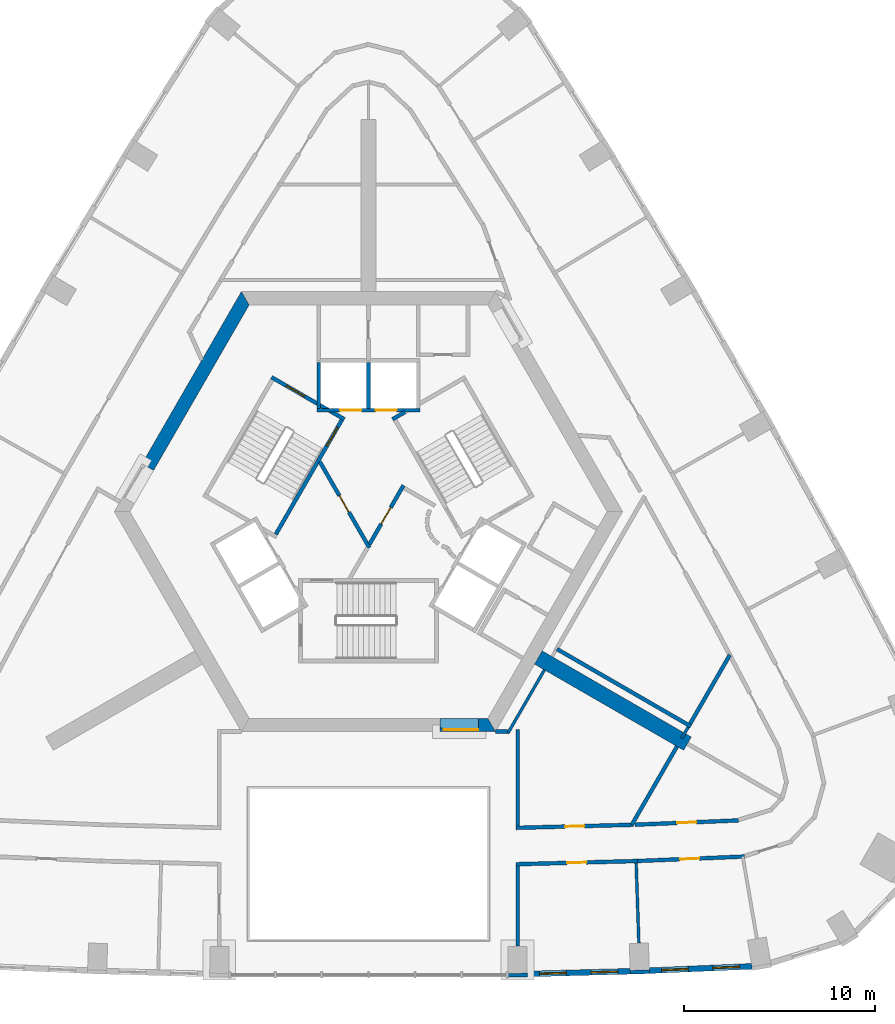
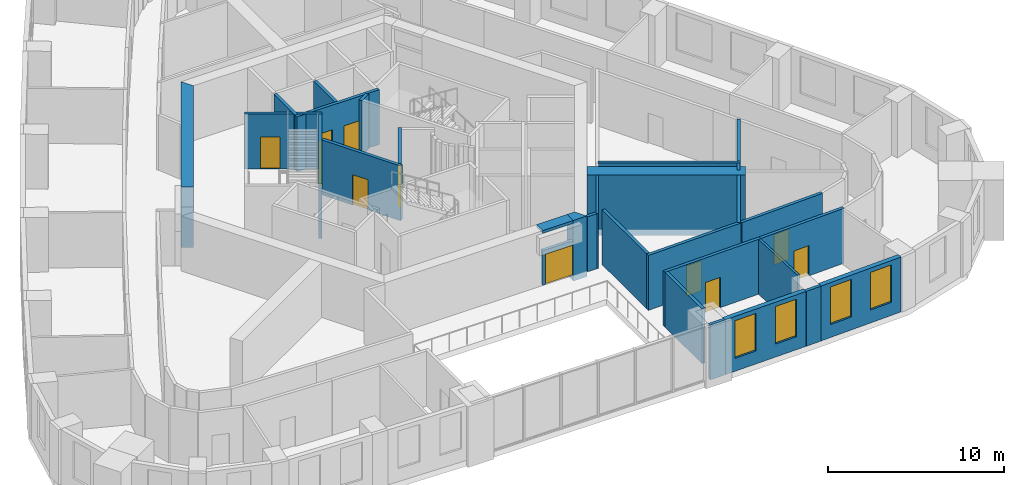
# One storey, part 5 of 11: 30 walls, 11 doors, 4 windows, 15 openings.
"""IFC4 building model written with IfcOpenShell, lengths in metres."""

from ifc_helpers import new_model, si_unit, direction, frame, frame_2d, origin, place, context, subcontext, project, spatial, polyline, rectangle, outline, extrude, material, layer, layer_set, type_object, element, fill, save


model = new_model("IFC4")

# Units and contexts
model_context = context("Model", 3, precision=1e-05, world=origin(), true_north=direction((0.0, 1.0)))
body_context = subcontext(model_context, "Body", "Model", "MODEL_VIEW")
ifc_project = project(units=[si_unit("LENGTHUNIT", "METRE"), si_unit("AREAUNIT", "SQUARE_METRE"), si_unit("VOLUMEUNIT", "CUBIC_METRE"), si_unit("PLANEANGLEUNIT", "RADIAN"), si_unit("MASSUNIT", "GRAM", prefix="KILO")], contexts=[model_context])

# Site, building, storey
site_placement = place(None, origin())
site = spatial("IfcSite", under=ifc_project, at=site_placement, CompositionType="ELEMENT")
building_placement = place(site_placement, origin())
building = spatial("IfcBuilding", under=site, at=building_placement, Name="Entoto Arch Interchange Tower", CompositionType="ELEMENT")
storey_placement = place(building_placement, frame((0.0, 0.0, 194.0)))
storey = spatial("IfcBuildingStorey", under=building, at=storey_placement, Name="L43", CompositionType="ELEMENT", Elevation=194.0)

# Wall
ifc_material_1 = material(Name="Concrete C50/60", Category="concrete")
ifc_layer_1 = layer(ifc_material_1, 0.800048828125)
ifc_layer_set_1 = layer_set([ifc_layer_1], Name="Concrete C50/60")
wall_type_1 = type_object("IfcWallType", Name="Buttress wall 800 C50/60", PredefinedType="SHEAR", material=ifc_layer_set_1)
wall_1_placement = place(storey_placement, frame((8.876953125, -5.125, -0.39990234375), z_axis=(0.0, 0.0, 1.0), x_axis=(0.866017533419, -0.500013631625, 0.0)))
element("IfcWall", 1, at=wall_1_placement, inside=storey, type_object=wall_type_1, Name="Buttress wall SE L43", PredefinedType="SHEAR", context=body_context, shape_type="SweptSolid", body=[
    extrude(rectangle(XDim=8.999755859375, YDim=0.800048828125, at=frame_2d((4.5, 0.0))), origin(), (0.0, 0.0, 1.0), 4.199951171875),
])

# Wall, opening, door
ifc_material_2 = material(Name="Reinforced concrete C40/50", Category="concrete")
ifc_layer_2 = layer(ifc_material_2, 0.199951171875)
ifc_layer_set_2 = layer_set([ifc_layer_2], Name="Reinforced concrete C40/50")
wall_type_2 = type_object("IfcWallType", Name="CORE GAP INFILL WALL", PredefinedType="PARTITIONING", material=ifc_layer_set_2)
wall_2_placement = place(storey_placement, frame((3.75, -8.89990234375, 0.0), z_axis=(0.0, 0.0, 1.0), x_axis=(1.0, 0.0, 0.0)))
wall_2 = element("IfcWall", 2, at=wall_2_placement, inside=storey, type_object=wall_type_2, Name="wall:L43:gap1", PredefinedType="PARTITIONING", context=body_context, shape_type="SweptSolid", body=[
    extrude(rectangle(XDim=2.0, YDim=0.199951171875, at=frame_2d((1.0, 0.0))), origin(), (0.0, 0.0, 1.0), 2.39990234375),
])
opening_1_placement = place(wall_2_placement, frame((0.18994140625, 0.0, 0.0)))
opening_1 = element("IfcOpeningElement", 3, at=opening_1_placement, cuts=wall_2, Name="Opening L43-D91", PredefinedType="OPENING", context=body_context, shape_type="SweptSolid", body=[
    extrude(rectangle(XDim=1.800048828125, YDim=2.10009765625, at=frame_2d((0.89990234375, 1.050048828125))), frame((0.0, 0.10986328125, 0.0), z_axis=(0.0, -1.0, 0.0), x_axis=(1.0, 0.0, 0.0)), (0.0, 0.0, 1.0), 0.219970703125),
])
ifc_material_3 = material(Name="Fire-rated Steel S235 door and frame", Category="steel")
door_type_1 = type_object("IfcDoorType", Name="DOOR FD-18 1800x2100", OperationType="DOUBLE_DOOR_SINGLE_SWING", PredefinedType="DOOR", material=ifc_material_3)
door_1_placement = place(opening_1_placement, origin())
door_1 = element("IfcDoor", 4, at=door_1_placement, inside=storey, type_object=door_type_1, Name="door:L43:gap1", OperationType="DOUBLE_DOOR_SINGLE_SWING", OverallHeight=2.10009765625, OverallWidth=1.800048828125, PredefinedType="DOOR", context=body_context, shape_type="SweptSolid", body=[
    extrude(rectangle(XDim=1.800048828125, YDim=2.10009765625, at=frame_2d((0.89990234375, 1.050048828125))), frame((0.0, 0.02490234375, 0.0), z_axis=(0.0, -1.0, 0.0), x_axis=(1.0, 0.0, 0.0)), (0.0, 0.0, 1.0), 0.050048828125),
])
fill(opening_1, door_1)

# Walls
ifc_layer_3 = layer(ifc_material_1, 0.699951171875)
ifc_layer_set_3 = layer_set([ifc_layer_3], Name="Concrete C50/60")
wall_type_3 = type_object("IfcWallType", Name="Core wall 700 C50/60", PredefinedType="SHEAR", material=ifc_layer_set_3)
wall_3_placement = place(storey_placement, frame((0.0, 0.0, -0.39990234375)))
element("IfcWall", 5, at=wall_3_placement, inside=storey, type_object=wall_type_3, Name="Core wall NW L43", PredefinedType="SHEAR", context=body_context, shape_type="SweptSolid", body=[
    extrude(outline(polyline([(-11.833984375, 5.001953125), (-11.22802734375, 4.652099609375), (-6.235107421875, 13.300048828125), (-6.639892578125, 14.0), (-11.833984375, 5.001953125)])), origin(), (0.0, 0.0, 1.0), 4.199951171875),
])
wall_4_placement = place(storey_placement, frame((0.0, 0.0, -0.39990234375)))
element("IfcWall", 6, at=wall_4_placement, inside=storey, type_object=wall_type_3, Name="Core wall S L43", PredefinedType="SHEAR", context=body_context, shape_type="SweptSolid", body=[
    extrude(outline(polyline([(5.75, -8.300048828125), (5.75, -9.0), (6.639892578125, -9.0), (6.235107421875, -8.300048828125), (5.75, -8.300048828125)])), origin(), (0.0, 0.0, 1.0), 4.199951171875),
])
wall_5_placement = place(storey_placement, frame((0.0, 0.0, 3.60009765625)))
element("IfcWall", 7, at=wall_5_placement, inside=storey, type_object=wall_type_3, Name="Core wall lintel S L43", PredefinedType="SHEAR", context=body_context, shape_type="SweptSolid", body=[
    extrude(outline(polyline([(5.75, -9.0), (5.75, -8.300048828125), (3.75, -8.300048828125), (3.75, -9.0), (5.75, -9.0)])), origin(), (0.0, 0.0, 1.0), 0.199951171875),
])

# Wall, openings, doors
ifc_material_4 = material(Name="Concrete C40/50", Category="concrete")
ifc_layer_4 = layer(ifc_material_4, 0.199951171875)
ifc_layer_set_4 = layer_set([ifc_layer_4], Name="Concrete C40/50")
wall_type_4 = type_object("IfcWallType", Name="LIFT SHAFT WALL 200", PredefinedType="STANDARD", material=ifc_layer_set_4)
wall_6_placement = place(storey_placement, frame((2.699951171875, 7.800048828125, 0.0), z_axis=(0.0, 0.0, 1.0), x_axis=(-1.0, 0.0, 0.0)))
wall_6 = element("IfcWall", 8, at=wall_6_placement, inside=storey, type_object=wall_type_4, Name="Shaft wall N1 front", PredefinedType="STANDARD", context=body_context, shape_type="SweptSolid", body=[
    extrude(rectangle(XDim=5.39990234375, YDim=0.199951171875, at=frame_2d((2.699951171875, 0.0))), origin(), (0.0, 0.0, 1.0), 3.800048828125),
])
opening_2_placement = place(wall_6_placement, frame((1.22509765625, 0.0, 0.0)))
opening_2 = element("IfcOpeningElement", 9, at=opening_2_placement, cuts=wall_6, Name="Opening LD-HR1-L43", PredefinedType="OPENING", context=body_context, shape_type="SweptSolid", body=[
    extrude(rectangle(XDim=1.10009765625, YDim=2.10009765625, at=frame_2d((0.550048828125, 1.050048828125))), frame((0.0, 0.10986328125, 0.0), z_axis=(0.0, -1.0, 0.0), x_axis=(1.0, 0.0, 0.0)), (0.0, 0.0, 1.0), 0.219970703125),
])
opening_3_placement = place(wall_6_placement, frame((3.074951171875, 0.0, 0.0)))
opening_3 = element("IfcOpeningElement", 10, at=opening_3_placement, cuts=wall_6, Name="Opening LD-HR2-L43", PredefinedType="OPENING", context=body_context, shape_type="SweptSolid", body=[
    extrude(rectangle(XDim=1.10009765625, YDim=2.10009765625, at=frame_2d((0.550048828125, 1.050048828125))), frame((0.0, 0.10986328125, 0.0), z_axis=(0.0, -1.0, 0.0), x_axis=(1.0, 0.0, 0.0)), (0.0, 0.0, 1.0), 0.219970703125),
])
ifc_material_5 = material(Name="Stainless steel 1.4301 panels", Category="steel")
door_type_2 = type_object("IfcDoorType", Name="LIFT LANDING DOOR LD1 1100x2100", OperationType="SLIDING_TO_LEFT", PredefinedType="DOOR", material=ifc_material_5)
door_2_placement = place(opening_2_placement, origin())
door_2 = element("IfcDoor", 11, at=door_2_placement, inside=storey, type_object=door_type_2, Name="Lift landing door HR1 L43", OperationType="SLIDING_TO_LEFT", OverallHeight=2.10009765625, OverallWidth=1.10009765625, PredefinedType="DOOR", context=body_context, shape_type="SweptSolid", body=[
    extrude(rectangle(XDim=1.10009765625, YDim=2.10009765625, at=frame_2d((0.550048828125, 1.050048828125))), frame((0.0, 0.02490234375, 0.0), z_axis=(0.0, -1.0, 0.0), x_axis=(1.0, 0.0, 0.0)), (0.0, 0.0, 1.0), 0.050048828125),
])
fill(opening_2, door_2)
door_3_placement = place(opening_3_placement, origin())
door_3 = element("IfcDoor", 12, at=door_3_placement, inside=storey, type_object=door_type_2, Name="Lift landing door HR2 L43", OperationType="SLIDING_TO_LEFT", OverallHeight=2.10009765625, OverallWidth=1.10009765625, PredefinedType="DOOR", context=body_context, shape_type="SweptSolid", body=[
    extrude(rectangle(XDim=1.10009765625, YDim=2.10009765625, at=frame_2d((0.550048828125, 1.050048828125))), frame((0.0, 0.02490234375, 0.0), z_axis=(0.0, -1.0, 0.0), x_axis=(1.0, 0.0, 0.0)), (0.0, 0.0, 1.0), 0.050048828125),
])
fill(opening_3, door_3)

# Walls
for number, where, z_axis, x_axis, name in (
    (13, (0.0, 7.89990234375, 0.0), (0.0, 0.0, 1.0), (0.0, 1.0, 0.0), "Shaft wall N1 cross 2"),
    (14, (-2.60009765625, 7.89990234375, 0.0), (0.0, 0.0, 1.0), (0.0, 1.0, 0.0), "Shaft wall N1 cross 3"),
):
    element("IfcWall", number, at=place(storey_placement, frame(where, z_axis=z_axis, x_axis=x_axis)), inside=storey, type_object=wall_type_4, Name=name, PredefinedType="STANDARD", context=body_context, shape_type="SweptSolid", body=[
        extrude(rectangle(XDim=2.400146484375, YDim=0.199951171875, at=frame_2d((1.2001953125, 0.0))), origin(), (0.0, 0.0, 1.0), 3.800048828125),
    ])
ifc_material_6 = material(Name="Gypsum board partition on steel studs", Category="steel")
ifc_layer_5 = layer(ifc_material_6, 0.14990234375)
ifc_layer_set_5 = layer_set([ifc_layer_5], Name="Gypsum board partition on steel studs")
wall_type_5 = type_object("IfcWallType", Name="PARTITION 150", PredefinedType="PARTITIONING", material=ifc_layer_set_5)
wall_7_placement = place(storey_placement, frame((7.282958984375, -9.0859375, 0.0), z_axis=(0.0, 0.0, 1.0), x_axis=(0.499843936326, 0.866115488442, 0.0)))
element("IfcWall", 15, at=wall_7_placement, inside=storey, type_object=wall_type_5, Name="wall:L43:p080", PredefinedType="PARTITIONING", context=body_context, shape_type="SweptSolid", body=[
    extrude(rectangle(XDim=3.827392578125, YDim=0.14990234375, at=frame_2d((1.91357421875, 0.0))), origin(), (0.0, 0.0, 1.0), 3.800048828125),
])
wall_8_placement = place(storey_placement, frame((16.7099609375, -8.758056640625, 0.0), z_axis=(0.0, 0.0, 1.0), x_axis=(-0.500013496215, -0.866017611601, 0.0)))
element("IfcWall", 16, at=wall_8_placement, inside=storey, type_object=wall_type_5, Name="wall:L43:p105", PredefinedType="PARTITIONING", context=body_context, shape_type="SweptSolid", body=[
    extrude(rectangle(XDim=0.677734375, YDim=0.14990234375, at=frame_2d((0.3388671875, 0.0))), origin(), (0.0, 0.0, 1.0), 3.800048828125),
])
wall_9_placement = place(storey_placement, frame((13.988037109375, -15.862060546875, 0.0), z_axis=(0.0, 0.0, 1.0), x_axis=(0.033931247732, -0.999424169423, 0.0)))
element("IfcWall", 17, at=wall_9_placement, inside=storey, type_object=wall_type_5, Name="wall:L43:p108", PredefinedType="PARTITIONING", context=body_context, shape_type="SweptSolid", body=[
    extrude(rectangle(XDim=4.180419921875, YDim=0.14990234375, at=frame_2d((2.09033203125, 0.0))), origin(), (0.0, 0.0, 1.0), 3.800048828125),
])

# Wall, opening, door
ifc_layer_6 = layer(ifc_material_6, 0.199951171875)
ifc_layer_set_6 = layer_set([ifc_layer_6], Name="Gypsum board partition on steel studs")
wall_type_6 = type_object("IfcWallType", Name="PARTITION 200", PredefinedType="PARTITIONING", material=ifc_layer_set_6)
wall_10_placement = place(storey_placement, frame((7.699951171875, -14.027099609375, 0.0), z_axis=(0.0, 0.0, 1.0), x_axis=(0.999653919353, 0.026306682088, 0.0)))
wall_10 = element("IfcWall", 18, at=wall_10_placement, inside=storey, type_object=wall_type_6, Name="wall:L43:p017", PredefinedType="PARTITIONING", context=body_context, shape_type="SweptSolid", body=[
    extrude(rectangle(XDim=6.162353515625, YDim=0.199951171875, at=frame_2d((3.0810546875, 0.0))), origin(), (0.0, 0.0, 1.0), 3.800048828125),
])
opening_4_placement = place(wall_10_placement, frame((2.5810546875, 0.0, 0.0)))
opening_4 = element("IfcOpeningElement", 19, at=opening_4_placement, cuts=wall_10, Name="Opening L43-D17", PredefinedType="OPENING", context=body_context, shape_type="SweptSolid", body=[
    extrude(rectangle(XDim=1.0, YDim=2.10009765625, at=frame_2d((0.5, 1.050048828125))), frame((0.0, 0.10986328125, 0.0), z_axis=(0.0, -1.0, 0.0), x_axis=(1.0, 0.0, 0.0)), (0.0, 0.0, 1.0), 0.219970703125),
])
ifc_material_7 = material(Name="Timber door leaf in Steel S235 frame", Category="steel")
door_type_3 = type_object("IfcDoorType", Name="DOOR DS-10 1000x2100", OperationType="SINGLE_SWING_LEFT", PredefinedType="DOOR", material=ifc_material_7)
door_4_placement = place(opening_4_placement, origin())
door_4 = element("IfcDoor", 20, at=door_4_placement, inside=storey, type_object=door_type_3, Name="door:L43:17", OperationType="SINGLE_SWING_LEFT", OverallHeight=2.10009765625, OverallWidth=1.0, PredefinedType="DOOR", context=body_context, shape_type="SweptSolid", body=[
    extrude(rectangle(XDim=1.0, YDim=2.10009765625, at=frame_2d((0.5, 1.050048828125))), frame((0.0, 0.02490234375, 0.0), z_axis=(0.0, -1.0, 0.0), x_axis=(1.0, 0.0, 0.0)), (0.0, 0.0, 1.0), 0.050048828125),
])
fill(opening_4, door_4)

wall_11_placement = place(storey_placement, frame((13.9189453125, -13.863037109375, 0.0), z_axis=(0.0, 0.0, 1.0), x_axis=(0.999130261307, 0.041697972867, 0.0)))
wall_11 = element("IfcWall", 21, at=wall_11_placement, inside=storey, type_object=wall_type_6, Name="wall:L43:p020", PredefinedType="PARTITIONING", context=body_context, shape_type="SweptSolid", body=[
    extrude(rectangle(XDim=5.421630859375, YDim=0.199951171875, at=frame_2d((2.7109375, 0.0))), origin(), (0.0, 0.0, 1.0), 3.800048828125),
])
opening_5_placement = place(wall_11_placement, frame((2.2109375, 0.0, 0.0)))
opening_5 = element("IfcOpeningElement", 22, at=opening_5_placement, cuts=wall_11, Name="Opening L43-D19", PredefinedType="OPENING", context=body_context, shape_type="SweptSolid", body=[
    extrude(rectangle(XDim=1.0, YDim=2.10009765625, at=frame_2d((0.5, 1.050048828125))), frame((0.0, 0.10986328125, 0.0), z_axis=(0.0, -1.0, 0.0), x_axis=(1.0, 0.0, 0.0)), (0.0, 0.0, 1.0), 0.219970703125),
])
door_5_placement = place(opening_5_placement, origin())
door_5 = element("IfcDoor", 23, at=door_5_placement, inside=storey, type_object=door_type_3, Name="door:L43:19", OperationType="SINGLE_SWING_LEFT", OverallHeight=2.10009765625, OverallWidth=1.0, PredefinedType="DOOR", context=body_context, shape_type="SweptSolid", body=[
    extrude(rectangle(XDim=1.0, YDim=2.10009765625, at=frame_2d((0.5, 1.050048828125))), frame((0.0, 0.02490234375, 0.0), z_axis=(0.0, -1.0, 0.0), x_axis=(1.0, 0.0, 0.0)), (0.0, 0.0, 1.0), 0.050048828125),
])
fill(opening_5, door_5)

wall_12_placement = place(storey_placement, frame((14.05908203125, -15.760009765625, 0.0), z_axis=(0.0, 0.0, 1.0), x_axis=(-0.999651338269, -0.026404580978, 0.0)))
wall_12 = element("IfcWall", 24, at=wall_12_placement, inside=storey, type_object=wall_type_6, Name="wall:L43:p035", PredefinedType="PARTITIONING", context=body_context, shape_type="SweptSolid", body=[
    extrude(rectangle(XDim=6.361328125, YDim=0.199951171875, at=frame_2d((3.1806640625, 0.0))), origin(), (0.0, 0.0, 1.0), 3.800048828125),
])
opening_6_placement = place(wall_12_placement, frame((2.680908203125, 0.0, 0.0)))
opening_6 = element("IfcOpeningElement", 25, at=opening_6_placement, cuts=wall_12, Name="Opening L43-D01", PredefinedType="OPENING", context=body_context, shape_type="SweptSolid", body=[
    extrude(rectangle(XDim=1.0, YDim=2.10009765625, at=frame_2d((0.5, 1.050048828125))), frame((0.0, 0.10986328125, 0.0), z_axis=(0.0, -1.0, 0.0), x_axis=(1.0, 0.0, 0.0)), (0.0, 0.0, 1.0), 0.219970703125),
])
door_6_placement = place(opening_6_placement, origin())
door_6 = element("IfcDoor", 26, at=door_6_placement, inside=storey, type_object=door_type_3, Name="door:L43:01", OperationType="SINGLE_SWING_LEFT", OverallHeight=2.10009765625, OverallWidth=1.0, PredefinedType="DOOR", context=body_context, shape_type="SweptSolid", body=[
    extrude(rectangle(XDim=1.0, YDim=2.10009765625, at=frame_2d((0.5, 1.050048828125))), frame((0.0, 0.02490234375, 0.0), z_axis=(0.0, -1.0, 0.0), x_axis=(1.0, 0.0, 0.0)), (0.0, 0.0, 1.0), 0.050048828125),
])
fill(opening_6, door_6)

wall_13_placement = place(storey_placement, frame((19.660888671875, -15.52490234375, 0.0), z_axis=(0.0, 0.0, 1.0), x_axis=(-0.999127706659, -0.041759140148, 0.0)))
wall_13 = element("IfcWall", 27, at=wall_13_placement, inside=storey, type_object=wall_type_6, Name="wall:L43:p036", PredefinedType="PARTITIONING", context=body_context, shape_type="SweptSolid", body=[
    extrude(rectangle(XDim=5.606689453125, YDim=0.199951171875, at=frame_2d((2.80322265625, 0.0))), origin(), (0.0, 0.0, 1.0), 3.800048828125),
])
opening_7_placement = place(wall_13_placement, frame((2.3779296875, 0.0, 0.0)))
opening_7 = element("IfcOpeningElement", 28, at=opening_7_placement, cuts=wall_13, Name="Opening L43-D02", PredefinedType="OPENING", context=body_context, shape_type="SweptSolid", body=[
    extrude(rectangle(XDim=1.0, YDim=2.10009765625, at=frame_2d((0.5, 1.050048828125))), frame((0.0, 0.10986328125, 0.0), z_axis=(0.0, -1.0, 0.0), x_axis=(1.0, 0.0, 0.0)), (0.0, 0.0, 1.0), 0.219970703125),
])
door_7_placement = place(opening_7_placement, origin())
door_7 = element("IfcDoor", 29, at=door_7_placement, inside=storey, type_object=door_type_3, Name="door:L43:02", OperationType="SINGLE_SWING_LEFT", OverallHeight=2.10009765625, OverallWidth=1.0, PredefinedType="DOOR", context=body_context, shape_type="SweptSolid", body=[
    extrude(rectangle(XDim=1.0, YDim=2.10009765625, at=frame_2d((0.5, 1.050048828125))), frame((0.0, 0.02490234375, 0.0), z_axis=(0.0, -1.0, 0.0), x_axis=(1.0, 0.0, 0.0)), (0.0, 0.0, 1.0), 0.050048828125),
])
fill(opening_7, door_7)

# Wall
wall_14_placement = place(storey_placement, frame((6.64111328125, -8.9990234375, 0.0), z_axis=(0.0, 0.0, 1.0), x_axis=(1.0, 0.0, 0.0)))
element("IfcWall", 30, at=wall_14_placement, inside=storey, type_object=wall_type_6, Name="wall:L43:p079", PredefinedType="PARTITIONING", context=body_context, shape_type="SweptSolid", body=[
    extrude(rectangle(XDim=0.616943359375, YDim=0.199951171875, at=frame_2d((0.30859375, 0.0))), origin(), (0.0, 0.0, 1.0), 3.800048828125),
])

# Wall, opening, door
wall_15_placement = place(storey_placement, frame((0.050048828125, 0.787109375, 0.0), z_axis=(0.0, 0.0, 1.0), x_axis=(0.499954076797, 0.866051915934, 0.0)))
wall_15 = element("IfcWall", 31, at=wall_15_placement, inside=storey, type_object=wall_type_6, Name="wall:L43:p083", PredefinedType="PARTITIONING", context=body_context, shape_type="SweptSolid", body=[
    extrude(rectangle(XDim=3.558349609375, YDim=0.199951171875, at=frame_2d((1.779296875, 0.0))), origin(), (0.0, 0.0, 1.0), 3.800048828125),
])
opening_8_placement = place(wall_15_placement, frame((1.22900390625, 0.0, 0.0)))
opening_8 = element("IfcOpeningElement", 32, at=opening_8_placement, cuts=wall_15, Name="Opening L43-D28", PredefinedType="OPENING", context=body_context, shape_type="SweptSolid", body=[
    extrude(rectangle(XDim=1.0, YDim=2.10009765625, at=frame_2d((0.5, 1.050048828125))), frame((0.0, 0.10986328125, 0.0), z_axis=(0.0, -1.0, 0.0), x_axis=(1.0, 0.0, 0.0)), (0.0, 0.0, 1.0), 0.219970703125),
])
door_type_4 = type_object("IfcDoorType", Name="DOOR FD-10 1000x2100", OperationType="SINGLE_SWING_LEFT", PredefinedType="DOOR", material=ifc_material_3)
door_8_placement = place(opening_8_placement, origin())
door_8 = element("IfcDoor", 33, at=door_8_placement, inside=storey, type_object=door_type_4, Name="door:L43:28", OperationType="SINGLE_SWING_RIGHT", OverallHeight=2.10009765625, OverallWidth=1.0, PredefinedType="DOOR", context=body_context, shape_type="SweptSolid", body=[
    extrude(rectangle(XDim=1.0, YDim=2.10009765625, at=frame_2d((0.5, 1.050048828125))), frame((0.0, 0.02490234375, 0.0), z_axis=(0.0, -1.0, 0.0), x_axis=(1.0, 0.0, 0.0)), (0.0, 0.0, 1.0), 0.050048828125),
])
fill(opening_8, door_8)

wall_16_placement = place(storey_placement, frame((-2.5400390625, 5.10009765625, 0.0), z_axis=(0.0, 0.0, 1.0), x_axis=(0.499925051871, -0.866068670783, 0.0)))
wall_16 = element("IfcWall", 34, at=wall_16_placement, inside=storey, type_object=wall_type_6, Name="wall:L43:p093", PredefinedType="PARTITIONING", context=body_context, shape_type="SweptSolid", body=[
    extrude(rectangle(XDim=5.180908203125, YDim=0.199951171875, at=frame_2d((2.59033203125, 0.0))), origin(), (0.0, 0.0, 1.0), 3.800048828125),
])
opening_9_placement = place(wall_16_placement, frame((2.0400390625, 0.0, 0.0)))
opening_9 = element("IfcOpeningElement", 35, at=opening_9_placement, cuts=wall_16, Name="Opening L43-D29", PredefinedType="OPENING", context=body_context, shape_type="SweptSolid", body=[
    extrude(rectangle(XDim=1.0, YDim=2.10009765625, at=frame_2d((0.5, 1.050048828125))), frame((0.0, 0.10986328125, 0.0), z_axis=(0.0, -1.0, 0.0), x_axis=(1.0, 0.0, 0.0)), (0.0, 0.0, 1.0), 0.219970703125),
])
door_9_placement = place(opening_9_placement, origin())
door_9 = element("IfcDoor", 36, at=door_9_placement, inside=storey, type_object=door_type_4, Name="door:L43:29", OperationType="SINGLE_SWING_RIGHT", OverallHeight=2.10009765625, OverallWidth=1.0, PredefinedType="DOOR", context=body_context, shape_type="SweptSolid", body=[
    extrude(rectangle(XDim=1.0, YDim=2.10009765625, at=frame_2d((0.5, 1.050048828125))), frame((0.0, 0.02490234375, 0.0), z_axis=(0.0, -1.0, 0.0), x_axis=(1.0, 0.0, 0.0)), (0.0, 0.0, 1.0), 0.050048828125),
])
fill(opening_9, door_9)

# Walls
wall_17_placement = place(storey_placement, frame((7.800048828125, -8.89892578125, 0.0), z_axis=(0.0, 0.0, 1.0), x_axis=(0.0, -1.0, 0.0)))
element("IfcWall", 37, at=wall_17_placement, inside=storey, type_object=wall_type_6, Name="wall:L43:p094", PredefinedType="PARTITIONING", context=body_context, shape_type="SweptSolid", body=[
    extrude(rectangle(XDim=5.025146484375, YDim=0.199951171875, at=frame_2d((2.5126953125, 0.0))), origin(), (0.0, 0.0, 1.0), 3.800048828125),
])
wall_18_placement = place(storey_placement, frame((7.800048828125, -16.02490234375, 0.0), z_axis=(0.0, 0.0, 1.0), x_axis=(0.0, -1.0, 0.0)))
element("IfcWall", 38, at=wall_18_placement, inside=storey, type_object=wall_type_6, Name="wall:L43:p097", PredefinedType="PARTITIONING", context=body_context, shape_type="SweptSolid", body=[
    extrude(rectangle(XDim=4.18212890625, YDim=0.199951171875, at=frame_2d((2.091064453125, 0.0))), origin(), (0.0, 0.0, 1.0), 3.800048828125),
])
wall_19_placement = place(storey_placement, frame((9.85302734375, -4.68408203125, 0.0), z_axis=(0.0, 0.0, 1.0), x_axis=(0.865999791918, -0.500044358431, 0.0)))
element("IfcWall", 39, at=wall_19_placement, inside=storey, type_object=wall_type_6, Name="wall:L43:p103", PredefinedType="PARTITIONING", context=body_context, shape_type="SweptSolid", body=[
    extrude(rectangle(XDim=8.074951171875, YDim=0.199951171875, at=frame_2d((4.03759765625, 0.0))), origin(), (0.0, 0.0, 1.0), 3.800048828125),
])
wall_20_placement = place(storey_placement, frame((16.125, -9.77099609375, 0.0), z_axis=(0.0, 0.0, 1.0), x_axis=(-0.500030759312, -0.866007644159, 0.0)))
element("IfcWall", 40, at=wall_20_placement, inside=storey, type_object=wall_type_6, Name="wall:L43:p104", PredefinedType="PARTITIONING", context=body_context, shape_type="SweptSolid", body=[
    extrude(rectangle(XDim=4.729736328125, YDim=0.199951171875, at=frame_2d((2.36474609375, 0.0))), origin(), (0.0, 0.0, 1.0), 3.800048828125),
])
wall_21_placement = place(storey_placement, frame((18.882080078125, -4.9951171875, 0.0), z_axis=(0.0, 0.0, 1.0), x_axis=(-0.499895813511, -0.866085547527, 0.0)))
element("IfcWall", 41, at=wall_21_placement, inside=storey, type_object=wall_type_6, Name="wall:L43:p106", PredefinedType="PARTITIONING", context=body_context, shape_type="SweptSolid", body=[
    extrude(rectangle(XDim=4.14501953125, YDim=0.199951171875, at=frame_2d((2.072509765625, 0.0))), origin(), (0.0, 0.0, 1.0), 3.800048828125),
])
ifc_layer_7 = layer(ifc_material_4, 0.199951171875)
ifc_layer_set_7 = layer_set([ifc_layer_7], Name="Concrete C40/50")
wall_type_7 = type_object("IfcWallType", Name="STAIR ENCLOSURE WALL 200", PredefinedType="STANDARD", material=ifc_layer_set_7)
wall_22_placement = place(storey_placement, frame((1.256103515625, 7.323974609375, 0.0), z_axis=(0.0, 0.0, 1.0), x_axis=(0.865915093549, 0.500191014278, 0.0)))
element("IfcWall", 42, at=wall_22_placement, inside=storey, type_object=wall_type_7, Name="Stair wall ST-NE far return", PredefinedType="STANDARD", context=body_context, shape_type="SweptSolid", body=[
    extrude(rectangle(XDim=0.751708984375, YDim=0.199951171875, at=frame_2d((0.3759765625, 0.0))), origin(), (0.0, 0.0, 1.0), 3.800048828125),
])

# Wall, opening, door
wall_23_placement = place(storey_placement, frame((-1.256103515625, 7.323974609375, 0.0), z_axis=(0.0, 0.0, 1.0), x_axis=(-0.866046073146, 0.499964197906, 0.0)))
wall_23 = element("IfcWall", 43, at=wall_23_placement, inside=storey, type_object=wall_type_7, Name="Stair wall ST-NW near", PredefinedType="STANDARD", context=body_context, shape_type="SweptSolid", body=[
    extrude(rectangle(XDim=4.400146484375, YDim=0.199951171875, at=frame_2d((2.2001953125, 0.0))), origin(), (0.0, 0.0, 1.0), 3.800048828125),
])
opening_10_placement = place(wall_23_placement, frame((2.39990234375, 0.0, 0.0)))
opening_10 = element("IfcOpeningElement", 44, at=opening_10_placement, cuts=wall_23, Name="Opening SD-ST-NW-L43-E", PredefinedType="OPENING", context=body_context, shape_type="SweptSolid", body=[
    extrude(rectangle(XDim=1.10009765625, YDim=2.199951171875, at=frame_2d((0.550048828125, 1.10009765625))), frame((0.0, 0.10986328125, 0.0), z_axis=(0.0, -1.0, 0.0), x_axis=(1.0, 0.0, 0.0)), (0.0, 0.0, 1.0), 0.219970703125),
])
ifc_material_8 = material(Name="Steel S235", Category="steel")
door_type_5 = type_object("IfcDoorType", Name="STAIR DOOR SD1 1100x2200", OperationType="SINGLE_SWING_LEFT", PredefinedType="DOOR", material=ifc_material_8)
door_10_placement = place(opening_10_placement, origin())
door_10 = element("IfcDoor", 45, at=door_10_placement, inside=storey, type_object=door_type_5, Name="Stair door ST-NW L43 end", OperationType="SINGLE_SWING_LEFT", OverallHeight=2.199951171875, OverallWidth=1.10009765625, PredefinedType="DOOR", context=body_context, shape_type="SweptSolid", body=[
    extrude(rectangle(XDim=1.10009765625, YDim=2.199951171875, at=frame_2d((0.550048828125, 1.10009765625))), frame((0.0, 0.02490234375, 0.0), z_axis=(0.0, -1.0, 0.0), x_axis=(1.0, 0.0, 0.0)), (0.0, 0.0, 1.0), 0.050048828125),
])
fill(opening_10, door_10)

wall_24_placement = place(storey_placement, frame((-1.39306640625, 7.2880859375, 0.0), z_axis=(0.0, 0.0, 1.0), x_axis=(-0.499963383562, -0.866046543262, 0.0)))
wall_24 = element("IfcWall", 46, at=wall_24_placement, inside=storey, type_object=wall_type_7, Name="Stair wall ST-NW hall", PredefinedType="STANDARD", context=body_context, shape_type="SweptSolid", body=[
    extrude(rectangle(XDim=6.900390625, YDim=0.199951171875, at=frame_2d((3.4501953125, 0.0))), origin(), (0.0, 0.0, 1.0), 3.800048828125),
])
opening_11_placement = place(wall_24_placement, frame((0.449951171875, 0.0, 0.0)))
opening_11 = element("IfcOpeningElement", 47, at=opening_11_placement, cuts=wall_24, Name="Opening SD-ST-NW-L43", PredefinedType="OPENING", context=body_context, shape_type="SweptSolid", body=[
    extrude(rectangle(XDim=1.10009765625, YDim=2.199951171875, at=frame_2d((0.550048828125, 1.10009765625))), frame((0.0, 0.10986328125, 0.0), z_axis=(0.0, -1.0, 0.0), x_axis=(1.0, 0.0, 0.0)), (0.0, 0.0, 1.0), 0.219970703125),
])
door_11_placement = place(opening_11_placement, origin())
door_11 = element("IfcDoor", 48, at=door_11_placement, inside=storey, type_object=door_type_5, Name="Stair door ST-NW L43", OperationType="SINGLE_SWING_LEFT", OverallHeight=2.199951171875, OverallWidth=1.10009765625, PredefinedType="DOOR", context=body_context, shape_type="SweptSolid", body=[
    extrude(rectangle(XDim=1.10009765625, YDim=2.199951171875, at=frame_2d((0.550048828125, 1.10009765625))), frame((0.0, 0.02490234375, 0.0), z_axis=(0.0, -1.0, 0.0), x_axis=(1.0, 0.0, 0.0)), (0.0, 0.0, 1.0), 0.050048828125),
])
fill(opening_11, door_11)

# Wall, openings, windows
ifc_material_9 = material(Name="Welded tuff (ignimbrite) cladding, warm buff", Category="masonry")
ifc_layer_8 = layer(ifc_material_9, 0.300048828125)
ifc_layer_set_8 = layer_set([ifc_layer_8], Name="Welded tuff (ignimbrite) cladding, warm buff")
wall_type_8 = type_object("IfcWallType", Name="STONE INFILL WALL 300", PredefinedType="STANDARD", material=ifc_layer_set_8)
wall_25_placement = place(storey_placement, frame((8.297119140625, -21.6640625, 0.0), z_axis=(0.0, 0.0, 1.0), x_axis=(0.999651908676, 0.026382977093, 0.0)))
wall_25 = element("IfcWall", 49, at=wall_25_placement, inside=storey, type_object=wall_type_8, Name="Facade wall S-04 L43", PredefinedType="STANDARD", context=body_context, shape_type="SweptSolid", body=[
    extrude(rectangle(XDim=5.3857421875, YDim=0.300048828125, at=frame_2d((2.69287109375, 0.0))), origin(), (0.0, 0.0, 1.0), 3.800048828125),
])
opening_12_placement = place(wall_25_placement, frame((0.64599609375, 0.0, 0.89990234375)))
opening_12 = element("IfcOpeningElement", 50, at=opening_12_placement, cuts=wall_25, Name="Opening WO-B", PredefinedType="OPENING", context=body_context, shape_type="SweptSolid", body=[
    extrude(rectangle(XDim=1.39990234375, YDim=2.60009765625, at=frame_2d((0.699951171875, 1.300048828125))), frame((0.0, 0.16015625, 0.0), z_axis=(0.0, -1.0, 0.0), x_axis=(1.0, 0.0, 0.0)), (0.0, 0.0, 1.0), 0.320068359375),
])
opening_13_placement = place(wall_25_placement, frame((3.339111328125, 0.0, 0.89990234375)))
opening_13 = element("IfcOpeningElement", 51, at=opening_13_placement, cuts=wall_25, Name="Opening WO-B", PredefinedType="OPENING", context=body_context, shape_type="SweptSolid", body=[
    extrude(rectangle(XDim=1.39990234375, YDim=2.60009765625, at=frame_2d((0.699951171875, 1.300048828125))), frame((0.0, 0.16015625, 0.0), z_axis=(0.0, -1.0, 0.0), x_axis=(1.0, 0.0, 0.0)), (0.0, 0.0, 1.0), 0.320068359375),
])
ifc_material_10 = material(Name="Clear glass, low-e double glazed", Category="glass")
window_type = type_object("IfcWindowType", Name="WINDOW WO-B 1400x2600", PartitioningType="DOUBLE_PANEL_VERTICAL", PredefinedType="WINDOW", material=ifc_material_10)
window_1_placement = place(opening_12_placement, origin())
window_1 = element("IfcWindow", 52, at=window_1_placement, inside=storey, type_object=window_type, Name="Window WO-B S-04 L43", OverallHeight=2.60009765625, OverallWidth=1.39990234375, PartitioningType="SINGLE_PANEL", PredefinedType="WINDOW", context=body_context, shape_type="SweptSolid", body=[
    extrude(rectangle(XDim=1.39990234375, YDim=2.60009765625, at=frame_2d((0.699951171875, 1.300048828125))), frame((0.0, 0.030029296875, 0.0), z_axis=(0.0, -1.0, 0.0), x_axis=(1.0, 0.0, 0.0)), (0.0, 0.0, 1.0), 0.06005859375),
])
fill(opening_12, window_1)
window_2_placement = place(opening_13_placement, origin())
window_2 = element("IfcWindow", 53, at=window_2_placement, inside=storey, type_object=window_type, Name="Window WO-B S-04 L43", OverallHeight=2.60009765625, OverallWidth=1.39990234375, PartitioningType="SINGLE_PANEL", PredefinedType="WINDOW", context=body_context, shape_type="SweptSolid", body=[
    extrude(rectangle(XDim=1.39990234375, YDim=2.60009765625, at=frame_2d((0.699951171875, 1.300048828125))), frame((0.0, 0.030029296875, 0.0), z_axis=(0.0, -1.0, 0.0), x_axis=(1.0, 0.0, 0.0)), (0.0, 0.0, 1.0), 0.06005859375),
])
fill(opening_13, window_2)

wall_26_placement = place(storey_placement, frame((14.677978515625, -21.488037109375, 0.0), z_axis=(0.0, 0.0, 1.0), x_axis=(0.999127941775, 0.041753514387, 0.0)))
wall_26 = element("IfcWall", 54, at=wall_26_placement, inside=storey, type_object=wall_type_8, Name="Facade wall S-05 L43", PredefinedType="STANDARD", context=body_context, shape_type="SweptSolid", body=[
    extrude(rectangle(XDim=5.36767578125, YDim=0.300048828125, at=frame_2d((2.683837890625, 0.0))), origin(), (0.0, 0.0, 1.0), 3.800048828125),
])
opening_14_placement = place(wall_26_placement, frame((0.64208984375, 0.0, 0.89990234375)))
opening_14 = element("IfcOpeningElement", 55, at=opening_14_placement, cuts=wall_26, Name="Opening WO-B", PredefinedType="OPENING", context=body_context, shape_type="SweptSolid", body=[
    extrude(rectangle(XDim=1.39990234375, YDim=2.60009765625, at=frame_2d((0.699951171875, 1.300048828125))), frame((0.0, 0.16015625, 0.0), z_axis=(0.0, -1.0, 0.0), x_axis=(1.0, 0.0, 0.0)), (0.0, 0.0, 1.0), 0.320068359375),
])
opening_15_placement = place(wall_26_placement, frame((3.325927734375, 0.0, 0.89990234375)))
opening_15 = element("IfcOpeningElement", 56, at=opening_15_placement, cuts=wall_26, Name="Opening WO-B", PredefinedType="OPENING", context=body_context, shape_type="SweptSolid", body=[
    extrude(rectangle(XDim=1.39990234375, YDim=2.60009765625, at=frame_2d((0.699951171875, 1.300048828125))), frame((0.0, 0.16015625, 0.0), z_axis=(0.0, -1.0, 0.0), x_axis=(1.0, 0.0, 0.0)), (0.0, 0.0, 1.0), 0.320068359375),
])
window_3_placement = place(opening_14_placement, origin())
window_3 = element("IfcWindow", 57, at=window_3_placement, inside=storey, type_object=window_type, Name="Window WO-B S-05 L43", OverallHeight=2.60009765625, OverallWidth=1.39990234375, PartitioningType="SINGLE_PANEL", PredefinedType="WINDOW", context=body_context, shape_type="SweptSolid", body=[
    extrude(rectangle(XDim=1.39990234375, YDim=2.60009765625, at=frame_2d((0.699951171875, 1.300048828125))), frame((0.0, 0.030029296875, 0.0), z_axis=(0.0, -1.0, 0.0), x_axis=(1.0, 0.0, 0.0)), (0.0, 0.0, 1.0), 0.06005859375),
])
fill(opening_14, window_3)
window_4_placement = place(opening_15_placement, origin())
window_4 = element("IfcWindow", 58, at=window_4_placement, inside=storey, type_object=window_type, Name="Window WO-B S-05 L43", OverallHeight=2.60009765625, OverallWidth=1.39990234375, PartitioningType="SINGLE_PANEL", PredefinedType="WINDOW", context=body_context, shape_type="SweptSolid", body=[
    extrude(rectangle(XDim=1.39990234375, YDim=2.60009765625, at=frame_2d((0.699951171875, 1.300048828125))), frame((0.0, 0.030029296875, 0.0), z_axis=(0.0, -1.0, 0.0), x_axis=(1.0, 0.0, 0.0)), (0.0, 0.0, 1.0), 0.06005859375),
])
fill(opening_15, window_4)

# Walls
ifc_layer_9 = layer(ifc_material_9, 0.199951171875)
ifc_layer_set_9 = layer_set([ifc_layer_9], Name="Welded tuff (ignimbrite) cladding, warm buff")
wall_type_9 = type_object("IfcWallType", Name="STONE PIER CLADDING 200", PredefinedType="STANDARD", material=ifc_layer_set_9)
wall_27_placement = place(storey_placement, frame((7.299072265625, -21.73388671875, 0.0), z_axis=(0.0, 0.0, 1.0), x_axis=(0.999903186316, 0.013914668364, 0.0)))
element("IfcWall", 59, at=wall_27_placement, inside=storey, type_object=wall_type_9, Name="Stone pier S04 L43", PredefinedType="STANDARD", context=body_context, shape_type="SweptSolid", body=[
    extrude(rectangle(XDim=1.0, YDim=0.199951171875, at=frame_2d((0.5, 0.0))), origin(), (0.0, 0.0, 1.0), 3.800048828125),
])
wall_28_placement = place(storey_placement, frame((13.681884765625, -21.575927734375, 0.0), z_axis=(0.0, 0.0, 1.0), x_axis=(0.999423561854, 0.033949138587, 0.0)))
element("IfcWall", 60, at=wall_28_placement, inside=storey, type_object=wall_type_9, Name="Stone pier S05 L43", PredefinedType="STANDARD", context=body_context, shape_type="SweptSolid", body=[
    extrude(rectangle(XDim=0.99951171875, YDim=0.199951171875, at=frame_2d((0.499755859375, 0.0))), origin(), (0.0, 0.0, 1.0), 3.800048828125),
])

save(model, "model.ifc")
